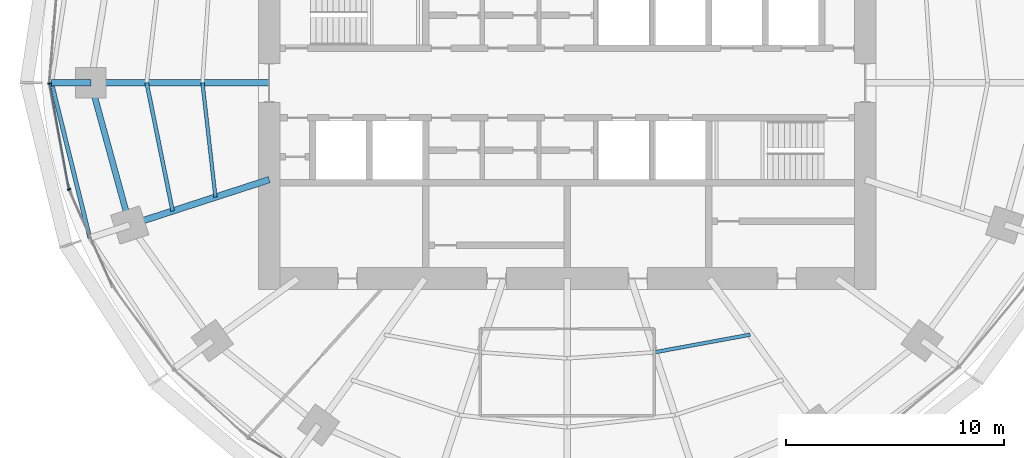
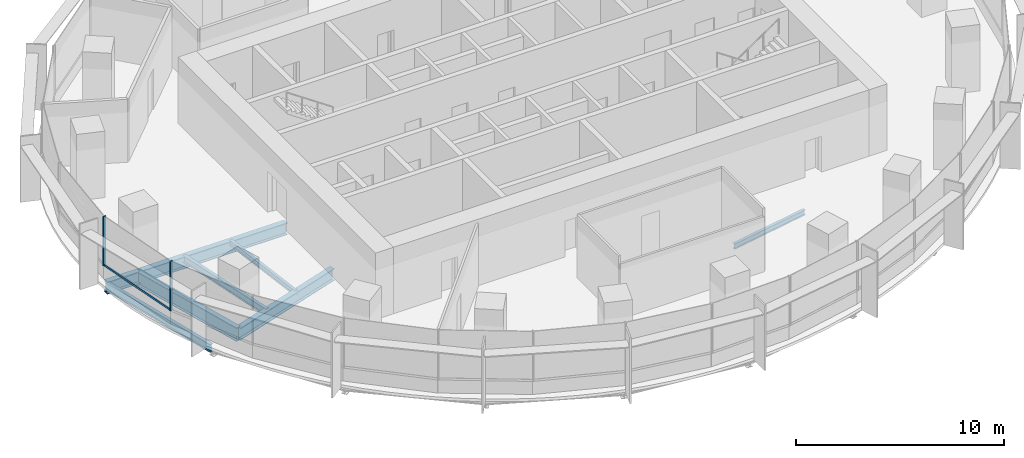
# One storey, part 3 of 14: 8 beams, 3 members, 1 element without a shape of its own.
"""IFC4 building model written with IfcOpenShell, lengths in metres."""

from ifc_helpers import new_model, si_unit, direction, frame, origin, origin_2d, place, context, subcontext, project, spatial, rectangle, i_section, extrude, material, material_profile, profile_set, type_object, element, aggregate, save


model = new_model("IFC4")

# Units and contexts
model_context = context("Model", 3, precision=1e-05, world=origin(), true_north=direction((0.0, 1.0)))
body_context = subcontext(model_context, "Body", "Model", "MODEL_VIEW")
ifc_project = project(units=[si_unit("LENGTHUNIT", "METRE"), si_unit("AREAUNIT", "SQUARE_METRE"), si_unit("VOLUMEUNIT", "CUBIC_METRE"), si_unit("PLANEANGLEUNIT", "RADIAN"), si_unit("MASSUNIT", "GRAM", prefix="KILO")], contexts=[model_context])

# Site, building, storey
site_placement = place(None, origin())
site = spatial("IfcSite", under=ifc_project, at=site_placement, CompositionType="ELEMENT")
building_placement = place(site_placement, origin())
building = spatial("IfcBuilding", under=site, at=building_placement, Name="Marramba Exchange Tower", CompositionType="ELEMENT")
storey_placement = place(building_placement, frame((0.0, 0.0, 242.300048828125)))
storey = spatial("IfcBuildingStorey", under=building, at=storey_placement, Name="L59", CompositionType="ELEMENT", Elevation=242.300048828125)

# Beams
ifc_material_1 = material(Name="Steel AS/NZS 3679.2 grade 300", Category="steel")
ifc_material_profile_1 = material_profile(ifc_material_1, i_section(OverallWidth=0.300048828125, OverallDepth=0.699951171875, WebThickness=0.010009765625, FlangeThickness=0.031982421875, at=origin_2d()), Name="700WB173")
ifc_profile_set_1 = profile_set([ifc_material_profile_1], Name="Steel AS/NZS 3679.2 grade 300")
beam_type_1 = type_object("IfcBeamType", Name="Cantilever girder 700WB173", PredefinedType="BEAM", material=ifc_profile_set_1)
beam_1_placement = place(storey_placement, frame((-21.89990234375, 0.0, -0.510009765625), z_axis=(-1.0, 0.0, 0.0), x_axis=(0.0, -1.0, 0.0)))
element("IfcBeam", 1, at=beam_1_placement, inside=storey, type_object=beam_type_1, Name="Cantilever girder L59 TC11", PredefinedType="BEAM", context=body_context, shape_type="SweptSolid", body=[
    extrude(i_section(OverallWidth=0.300048828125, OverallDepth=0.699951171875, WebThickness=0.010009765625, FlangeThickness=0.031982421875, at=origin_2d()), origin(), (0.0, 0.0, 1.0), 1.80615234375),
])
ifc_material_2 = material(Name="Steel AS/NZS 3679.1 grade 300", Category="steel")
ifc_material_profile_2 = material_profile(ifc_material_2, i_section(OverallWidth=0.166015625, OverallDepth=0.306884765625, WebThickness=0.006591796875, FlangeThickness=0.01171875, FilletRadius=0.011474609375, at=origin_2d()), Name="310UB46.2")
ifc_profile_set_2 = profile_set([ifc_material_profile_2], Name="Steel AS/NZS 3679.1 grade 300")
beam_type_2 = type_object("IfcBeamType", Name="Floor joist 310UB46.2", PredefinedType="JOIST", material=ifc_profile_set_2)
beam_2_placement = place(storey_placement, frame((-16.7666015625, 0.0, -0.3134765625), z_axis=(0.112888968594, -0.993607609054, 0.0), x_axis=(0.993607609054, 0.112888968594, 0.0)))
element("IfcBeam", 2, at=beam_2_placement, inside=storey, type_object=beam_type_2, Name="Joist L59 bay 11 row 1", PredefinedType="JOIST", context=body_context, shape_type="SweptSolid", body=[
    extrude(i_section(OverallWidth=0.166015625, OverallDepth=0.306884765625, WebThickness=0.006591796875, FlangeThickness=0.01171875, FilletRadius=0.011474609375, at=origin_2d()), origin(), (0.0, 0.0, 1.0), 5.28759765625),
])
beam_3_placement = place(storey_placement, frame((4.0244140625, -12.3857421875, -0.3134765625), z_axis=(0.983455754421, 0.181148500119, 0.0), x_axis=(-0.181148500119, 0.983455754421, 0.0)))
element("IfcBeam", 3, at=beam_3_placement, inside=storey, type_object=beam_type_2, Name="Joist L59 bay 17 row 1", PredefinedType="JOIST", context=body_context, shape_type="SweptSolid", body=[
    extrude(i_section(OverallWidth=0.166015625, OverallDepth=0.306884765625, WebThickness=0.006591796875, FlangeThickness=0.01171875, FilletRadius=0.011474609375, at=origin_2d()), origin(), (0.0, 0.0, 1.0), 4.4609375),
])
ifc_material_profile_3 = material_profile(ifc_material_2, i_section(OverallWidth=0.177978515625, OverallDepth=0.406005859375, WebThickness=0.0078125, FlangeThickness=0.0126953125, FilletRadius=0.011474609375, at=origin_2d()), Name="410UB59.7")
ifc_profile_set_3 = profile_set([ifc_material_profile_3], Name="Steel AS/NZS 3679.1 grade 300")
beam_type_3 = type_object("IfcBeamType", Name="Floor joist 410UB59.7", PredefinedType="JOIST", material=ifc_profile_set_3)
beam_4_placement = place(storey_placement, frame((-19.333251953125, 0.0, -0.363037109375), z_axis=(0.198489047047, -0.980103105904, 0.0), x_axis=(0.980103105904, 0.198489047047, 0.0)))
element("IfcBeam", 4, at=beam_4_placement, inside=storey, type_object=beam_type_3, Name="Joist L59 bay 11 row 2", PredefinedType="JOIST", context=body_context, shape_type="SweptSolid", body=[
    extrude(i_section(OverallWidth=0.177978515625, OverallDepth=0.406005859375, WebThickness=0.0078125, FlangeThickness=0.0126953125, FilletRadius=0.011474609375, at=origin_2d()), origin(), (0.0, 0.0, 1.0), 6.013427734375),
])

# Curtain wall, members
ifc_material_3 = material(Name="Aluminium framing, bronze anodised", Category="aluminium")
curtain_wall_type = type_object("IfcCurtainWallType", Name="Office ribbon curtain wall", PredefinedType="USERDEFINED", material=ifc_material_3)
curtain_wall_placement = place(storey_placement, origin())
curtain_wall = element("IfcCurtainWall", 5, at=curtain_wall_placement, inside=storey, type_object=curtain_wall_type, Name="Curtain wall CW4 L59 F16-F20", ObjectType="RIBBON CURTAIN WALL", PredefinedType="USERDEFINED")
ifc_material_4 = material(Name="Aluminium mullion, bronze anodised", Category="aluminium")
ifc_material_profile_4 = material_profile(ifc_material_4, rectangle(XDim=0.159912109375, YDim=0.06005859375, at=origin_2d()), Name="CW4 mullion 60x160")
ifc_profile_set_4 = profile_set([ifc_material_profile_4], Name="Aluminium mullion, bronze anodised")
member_type_1 = type_object("IfcMemberType", Name="Office ribbon curtain wall mullion", PredefinedType="MULLION", material=ifc_profile_set_4)
member_1_placement = place(storey_placement, frame((-23.800537109375, -0.029541015625, 0.800048828125), z_axis=(0.0, 0.0, 1.0), x_axis=(0.983606636184, 0.180327438996, 0.0)))
member_1 = element("IfcMember", 6, at=member_1_placement, type_object=member_type_1, Name="CW4 mullion 1", PredefinedType="MULLION", context=body_context, shape_type="SweptSolid", body=[
    extrude(rectangle(XDim=0.159912109375, YDim=0.06005859375, at=origin_2d()), origin(), (0.0, 0.0, 1.0), 2.89990234375),
])
member_2_placement = place(storey_placement, frame((-22.90087890625, -4.897705078125, 0.800048828125), z_axis=(0.0, 0.0, 1.0), x_axis=(0.913179510401, 0.407557580942, 0.0)))
member_2 = element("IfcMember", 7, at=member_2_placement, type_object=member_type_1, Name="CW4 mullion 1", PredefinedType="MULLION", context=body_context, shape_type="SweptSolid", body=[
    extrude(rectangle(XDim=0.159912109375, YDim=0.06005859375, at=origin_2d()), origin(), (0.0, 0.0, 1.0), 2.89990234375),
])
ifc_material_5 = material(Name="Aluminium transom, bronze anodised", Category="aluminium")
ifc_material_profile_5 = material_profile(ifc_material_5, rectangle(XDim=0.06005859375, YDim=0.1201171875, at=origin_2d()), Name="CW4 transom 60x120")
ifc_profile_set_5 = profile_set([ifc_material_profile_5], Name="Aluminium transom, bronze anodised")
member_type_2 = type_object("IfcMemberType", Name="Office ribbon curtain wall transom", PredefinedType="USERDEFINED", material=ifc_profile_set_5)
member_3_placement = place(storey_placement, frame((-23.795166015625, -0.05908203125, 0.829833984375), z_axis=(0.180330283276, -0.98360611473, 0.0), x_axis=(0.98360611473, 0.180330283276, 0.0)))
member_3 = element("IfcMember", 8, at=member_3_placement, type_object=member_type_2, Name="CW4 sill transom", ObjectType="TRANSOM", PredefinedType="USERDEFINED", context=body_context, shape_type="SweptSolid", body=[
    extrude(rectangle(XDim=0.06005859375, YDim=0.1201171875, at=origin_2d()), origin(), (0.0, 0.0, 1.0), 4.891357421875),
])
aggregate(curtain_wall, [member_1, member_3, member_2])

# Beams
ifc_material_profile_6 = material_profile(ifc_material_1, i_section(OverallWidth=0.300048828125, OverallDepth=0.699951171875, WebThickness=0.010009765625, FlangeThickness=0.031982421875, at=origin_2d()), Name="700WB173")
ifc_profile_set_6 = profile_set([ifc_material_profile_6], Name="Steel AS/NZS 3679.2 grade 300")
beam_type_4 = type_object("IfcBeamType", Name="Radial girder 700WB173", PredefinedType="BEAM", material=ifc_profile_set_6)
beam_5_placement = place(storey_placement, frame((-13.699951171875, 0.0, -0.510009765625), z_axis=(-1.0, 0.0, 0.0), x_axis=(0.0, -1.0, 0.0)))
element("IfcBeam", 9, at=beam_5_placement, inside=storey, type_object=beam_type_4, Name="Radial girder L59 TC11", PredefinedType="BEAM", context=body_context, shape_type="SweptSolid", body=[
    extrude(i_section(OverallWidth=0.300048828125, OverallDepth=0.699951171875, WebThickness=0.010009765625, FlangeThickness=0.031982421875, at=origin_2d()), origin(), (0.0, 0.0, 1.0), 8.199951171875),
])
beam_6_placement = place(storey_placement, frame((-13.699951171875, -4.451416015625, -0.510009765625), z_axis=(-0.951057759669, -0.309013167637, 0.0), x_axis=(0.309013167637, -0.951057759669, 0.0)))
element("IfcBeam", 10, at=beam_6_placement, inside=storey, type_object=beam_type_4, Name="Radial girder L59 TC12", PredefinedType="BEAM", context=body_context, shape_type="SweptSolid", body=[
    extrude(i_section(OverallWidth=0.300048828125, OverallDepth=0.699951171875, WebThickness=0.010009765625, FlangeThickness=0.031982421875, at=origin_2d()), origin(), (0.0, 0.0, 1.0), 6.7392578125),
])
ifc_material_profile_7 = material_profile(ifc_material_1, i_section(OverallWidth=0.27490234375, OverallDepth=0.800048828125, WebThickness=0.010009765625, FlangeThickness=0.02490234375, at=origin_2d()), Name="800WB168")
ifc_profile_set_7 = profile_set([ifc_material_profile_7], Name="Steel AS/NZS 3679.2 grade 300")
beam_type_5 = type_object("IfcBeamType", Name="Ring beam 800WB168", PredefinedType="SPANDREL", material=ifc_profile_set_7)
beam_7_placement = place(storey_placement, frame((-21.89990234375, 0.0, -0.56005859375), z_axis=(0.264291166956, -0.964442937176, 0.0), x_axis=(0.964442937176, 0.264291166956, 0.0)))
element("IfcBeam", 11, at=beam_7_placement, inside=storey, type_object=beam_type_5, Name="Ring beam L59 TC11-TC12", PredefinedType="SPANDREL", context=body_context, shape_type="SweptSolid", body=[
    extrude(i_section(OverallWidth=0.27490234375, OverallDepth=0.800048828125, WebThickness=0.010009765625, FlangeThickness=0.02490234375, at=origin_2d()), origin(), (0.0, 0.0, 1.0), 6.77490234375),
])
ifc_material_profile_8 = material_profile(ifc_material_2, i_section(OverallWidth=0.19091796875, OverallDepth=0.4599609375, WebThickness=0.010009765625, FlangeThickness=0.01611328125, FilletRadius=0.011474609375, at=origin_2d()), Name="460UB82.1")
ifc_profile_set_8 = profile_set([ifc_material_profile_8], Name="Steel AS/NZS 3679.1 grade 300")
beam_type_6 = type_object("IfcBeamType", Name="Slab edge beam 460UB82.1", PredefinedType="SPANDREL", material=ifc_profile_set_8)
beam_8_placement = place(storey_placement, frame((-23.7060546875, 0.0, -0.39013671875), z_axis=(0.23973454413, -0.970838476963, 0.0), x_axis=(0.970838476963, 0.23973454413, 0.0)))
element("IfcBeam", 12, at=beam_8_placement, inside=storey, type_object=beam_type_6, Name="Slab edge beam L59 TC11-TC12", PredefinedType="SPANDREL", context=body_context, shape_type="SweptSolid", body=[
    extrude(i_section(OverallWidth=0.19091796875, OverallDepth=0.4599609375, WebThickness=0.010009765625, FlangeThickness=0.01611328125, FilletRadius=0.011474609375, at=origin_2d()), origin(), (0.0, 0.0, 1.0), 7.344482421875),
])

save(model, "model.ifc")
